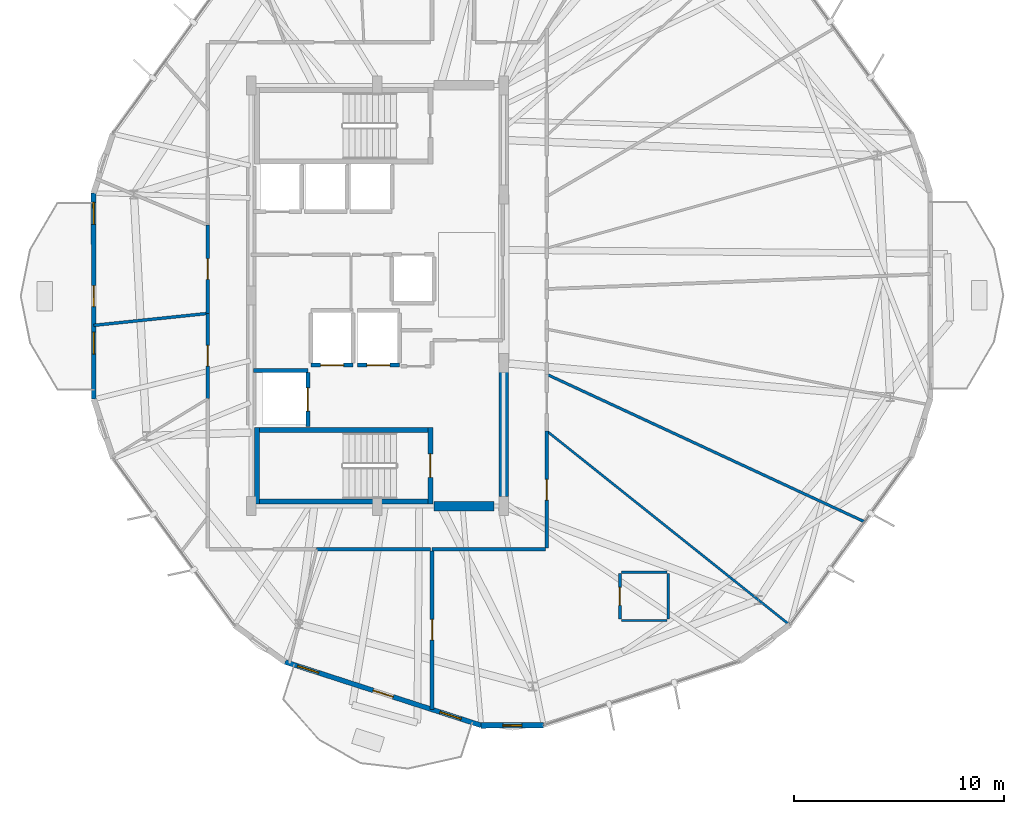
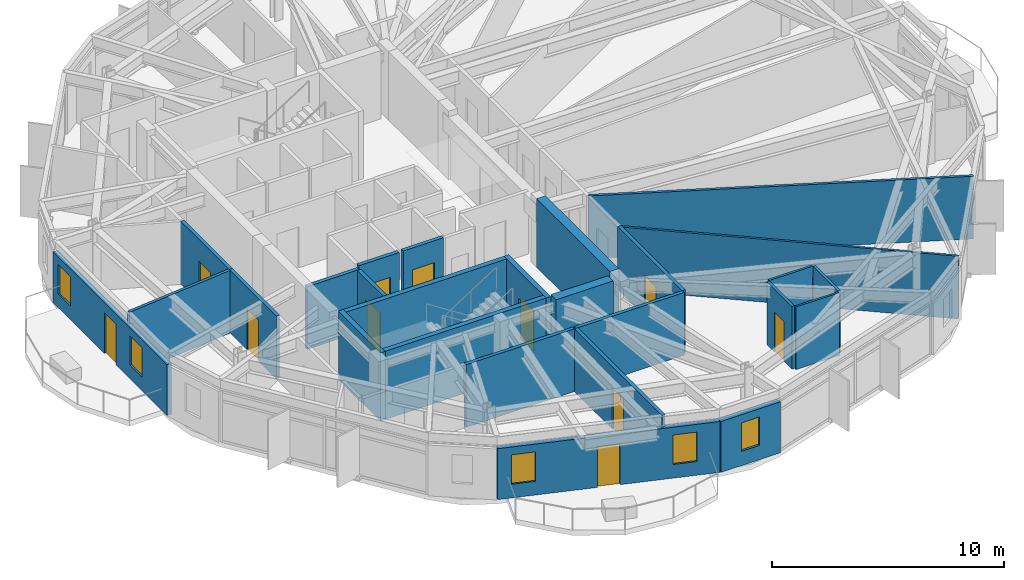
# One storey, part 25 of 31: 26 walls, 11 doors, 5 windows, 16 openings.
"""IFC4 building model written with IfcOpenShell, lengths in metres."""

from ifc_helpers import new_model, si_unit, direction, frame, frame_2d, origin, place, context, subcontext, project, spatial, rectangle, extrude, material, layer, layer_set, type_object, element, fill, save


model = new_model("IFC4")

# Units and contexts
model_context = context("Model", 3, precision=1e-05, world=origin(), true_north=direction((0.0, 1.0)))
body_context = subcontext(model_context, "Body", "Model", "MODEL_VIEW")
ifc_project = project(units=[si_unit("LENGTHUNIT", "METRE"), si_unit("AREAUNIT", "SQUARE_METRE"), si_unit("VOLUMEUNIT", "CUBIC_METRE"), si_unit("PLANEANGLEUNIT", "RADIAN"), si_unit("MASSUNIT", "GRAM", prefix="KILO")], contexts=[model_context])

# Site, building, storey
site_placement = place(None, origin())
site = spatial("IfcSite", under=ifc_project, at=site_placement, CompositionType="ELEMENT")
building_placement = place(site_placement, origin())
building = spatial("IfcBuilding", under=site, at=building_placement, Name="Soratama Intermodal Tower", CompositionType="ELEMENT")
storey_placement = place(building_placement, frame((0.0, 0.0, 230.199951171875)))
storey = spatial("IfcBuildingStorey", under=building, at=storey_placement, Name="L58", CompositionType="ELEMENT", Elevation=230.199951171875)

# Wall, openings, door, windows
ifc_material_1 = material(Name="Concrete f'c 42 MPa", Category="concrete")
ifc_layer_1 = layer(ifc_material_1, 0.22998046875)
ifc_layer_set_1 = layer_set([ifc_layer_1], Name="Concrete f'c 42 MPa")
wall_type_1 = type_object("IfcWallType", Name="EW-BAL-230", PredefinedType="SOLIDWALL", material=ifc_layer_set_1)
wall_1_placement = place(storey_placement, frame((25.117919921875, 29.8779296875, 0.0), z_axis=(0.0, 0.0, 1.0), x_axis=(0.001046571902, -0.999999452343, 0.0)))
wall_1 = element("IfcWall", 1, at=wall_1_placement, inside=storey, type_object=wall_type_1, Name="L58 Terrace Wall F04", PredefinedType="SOLIDWALL", context=body_context, shape_type="SweptSolid", body=[
    extrude(rectangle(XDim=9.797607421875, YDim=0.22998046875, at=frame_2d((4.89892578125, 0.0))), origin(), (0.0, 0.0, 1.0), 2.678955078125),
])
opening_1_placement = place(wall_1_placement, frame((4.39892578125, 0.0, 0.0)))
opening_1 = element("IfcOpeningElement", 2, at=opening_1_placement, cuts=wall_1, Name="Opening ED-2", PredefinedType="OPENING", context=body_context, shape_type="SweptSolid", body=[
    extrude(rectangle(XDim=1.0, YDim=2.14990234375, at=frame_2d((0.5, 1.074951171875))), frame((0.0, 0.125, 0.0), z_axis=(0.0, -1.0, 0.0), x_axis=(1.0, 0.0, 0.0)), (0.0, 0.0, 1.0), 0.25),
])
opening_2_placement = place(wall_1_placement, frame((0.43994140625, 0.0, 0.719970703125)))
opening_2 = element("IfcOpeningElement", 3, at=opening_2_placement, cuts=wall_1, Name="Opening WN-5", PredefinedType="OPENING", context=body_context, shape_type="SweptSolid", body=[
    extrude(rectangle(XDim=1.050048828125, YDim=1.550048828125, at=frame_2d((0.52490234375, 0.77490234375))), frame((0.0, 0.125, 0.0), z_axis=(0.0, -1.0, 0.0), x_axis=(1.0, 0.0, 0.0)), (0.0, 0.0, 1.0), 0.25),
])
opening_3_placement = place(wall_1_placement, frame((6.606201171875, 0.0, 0.719970703125)))
opening_3 = element("IfcOpeningElement", 4, at=opening_3_placement, cuts=wall_1, Name="Opening WN-5", PredefinedType="OPENING", context=body_context, shape_type="SweptSolid", body=[
    extrude(rectangle(XDim=1.050048828125, YDim=1.550048828125, at=frame_2d((0.52490234375, 0.77490234375))), frame((0.0, 0.125, 0.0), z_axis=(0.0, -1.0, 0.0), x_axis=(1.0, 0.0, 0.0)), (0.0, 0.0, 1.0), 0.25),
])
ifc_material_2 = material(Name="Double-glazed aluminium door", Category="aluminium")
door_type_1 = type_object("IfcDoorType", Name="DR-BAL-1000", OperationType="NOTDEFINED", PredefinedType="DOOR", material=ifc_material_2)
door_1_placement = place(opening_1_placement, origin())
door_1 = element("IfcDoor", 5, at=door_1_placement, inside=storey, type_object=door_type_1, Name="L58 Balcony Door F04", OperationType="SINGLE_SWING_RIGHT", OverallHeight=2.14990234375, OverallWidth=1.0, PredefinedType="DOOR", context=body_context, shape_type="SweptSolid", body=[
    extrude(rectangle(XDim=1.0, YDim=2.14990234375, at=frame_2d((0.5, 1.074951171875))), frame((0.0, 0.02490234375, 0.0), z_axis=(0.0, -1.0, 0.0), x_axis=(1.0, 0.0, 0.0)), (0.0, 0.0, 1.0), 0.050048828125),
])
fill(opening_1, door_1)
ifc_material_3 = material(Name="Double-glazed aluminium window", Category="aluminium")
window_type_1 = type_object("IfcWindowType", Name="WN-FAC-1050", PartitioningType="SINGLE_PANEL", PredefinedType="WINDOW", material=ifc_material_3)
window_1_placement = place(opening_2_placement, origin())
window_1 = element("IfcWindow", 6, at=window_1_placement, inside=storey, type_object=window_type_1, Name="L58 Window A F04", OverallHeight=1.550048828125, OverallWidth=1.050048828125, PartitioningType="SINGLE_PANEL", PredefinedType="WINDOW", context=body_context, shape_type="SweptSolid", body=[
    extrude(rectangle(XDim=1.050048828125, YDim=1.550048828125, at=frame_2d((0.52490234375, 0.77490234375))), frame((0.0, 0.030029296875, 0.0), z_axis=(0.0, -1.0, 0.0), x_axis=(1.0, 0.0, 0.0)), (0.0, 0.0, 1.0), 0.06005859375),
])
fill(opening_2, window_1)
window_2_placement = place(opening_3_placement, origin())
window_2 = element("IfcWindow", 7, at=window_2_placement, inside=storey, type_object=window_type_1, Name="L58 Window B F04", OverallHeight=1.550048828125, OverallWidth=1.050048828125, PartitioningType="SINGLE_PANEL", PredefinedType="WINDOW", context=body_context, shape_type="SweptSolid", body=[
    extrude(rectangle(XDim=1.050048828125, YDim=1.550048828125, at=frame_2d((0.52490234375, 0.77490234375))), frame((0.0, 0.030029296875, 0.0), z_axis=(0.0, -1.0, 0.0), x_axis=(1.0, 0.0, 0.0)), (0.0, 0.0, 1.0), 0.06005859375),
])
fill(opening_3, window_2)

wall_2_placement = place(storey_placement, frame((34.216796875, 7.598388671875, 0.0), z_axis=(0.0, 0.0, 1.0), x_axis=(0.951374090692, -0.308037886567, 0.0)))
wall_2 = element("IfcWall", 8, at=wall_2_placement, inside=storey, type_object=wall_type_1, Name="L58 Terrace Wall F06", PredefinedType="SOLIDWALL", context=body_context, shape_type="SweptSolid", body=[
    extrude(rectangle(XDim=9.797607421875, YDim=0.22998046875, at=frame_2d((4.89892578125, 0.0))), origin(), (0.0, 0.0, 1.0), 2.678955078125),
])
opening_4_placement = place(wall_2_placement, frame((4.398681640625, 0.0, 0.0)))
opening_4 = element("IfcOpeningElement", 9, at=opening_4_placement, cuts=wall_2, Name="Opening ED-2", PredefinedType="OPENING", context=body_context, shape_type="SweptSolid", body=[
    extrude(rectangle(XDim=1.0, YDim=2.14990234375, at=frame_2d((0.5, 1.074951171875))), frame((0.0, 0.125, 0.0), z_axis=(0.0, -1.0, 0.0), x_axis=(1.0, 0.0, 0.0)), (0.0, 0.0, 1.0), 0.25),
])
opening_5_placement = place(wall_2_placement, frame((0.629150390625, 0.0, 0.719970703125)))
opening_5 = element("IfcOpeningElement", 10, at=opening_5_placement, cuts=wall_2, Name="Opening WN-5", PredefinedType="OPENING", context=body_context, shape_type="SweptSolid", body=[
    extrude(rectangle(XDim=1.050048828125, YDim=1.550048828125, at=frame_2d((0.52490234375, 0.77490234375))), frame((0.0, 0.125, 0.0), z_axis=(0.0, -1.0, 0.0), x_axis=(1.0, 0.0, 0.0)), (0.0, 0.0, 1.0), 0.25),
])
opening_6_placement = place(wall_2_placement, frame((7.740478515625, 0.0, 0.719970703125)))
opening_6 = element("IfcOpeningElement", 11, at=opening_6_placement, cuts=wall_2, Name="Opening WN-5", PredefinedType="OPENING", context=body_context, shape_type="SweptSolid", body=[
    extrude(rectangle(XDim=1.050048828125, YDim=1.550048828125, at=frame_2d((0.52490234375, 0.77490234375))), frame((0.0, 0.125, 0.0), z_axis=(0.0, -1.0, 0.0), x_axis=(1.0, 0.0, 0.0)), (0.0, 0.0, 1.0), 0.25),
])
door_2_placement = place(opening_4_placement, origin())
door_2 = element("IfcDoor", 12, at=door_2_placement, inside=storey, type_object=door_type_1, Name="L58 Balcony Door F06", OperationType="SINGLE_SWING_RIGHT", OverallHeight=2.14990234375, OverallWidth=1.0, PredefinedType="DOOR", context=body_context, shape_type="SweptSolid", body=[
    extrude(rectangle(XDim=1.0, YDim=2.14990234375, at=frame_2d((0.5, 1.074951171875))), frame((0.0, 0.02490234375, 0.0), z_axis=(0.0, -1.0, 0.0), x_axis=(1.0, 0.0, 0.0)), (0.0, 0.0, 1.0), 0.050048828125),
])
fill(opening_4, door_2)
window_3_placement = place(opening_5_placement, origin())
window_3 = element("IfcWindow", 13, at=window_3_placement, inside=storey, type_object=window_type_1, Name="L58 Window A F06", OverallHeight=1.550048828125, OverallWidth=1.050048828125, PartitioningType="SINGLE_PANEL", PredefinedType="WINDOW", context=body_context, shape_type="SweptSolid", body=[
    extrude(rectangle(XDim=1.050048828125, YDim=1.550048828125, at=frame_2d((0.52490234375, 0.77490234375))), frame((0.0, 0.030029296875, 0.0), z_axis=(0.0, -1.0, 0.0), x_axis=(1.0, 0.0, 0.0)), (0.0, 0.0, 1.0), 0.06005859375),
])
fill(opening_5, window_3)
window_4_placement = place(opening_6_placement, origin())
window_4 = element("IfcWindow", 14, at=window_4_placement, inside=storey, type_object=window_type_1, Name="L58 Window B F06", OverallHeight=1.550048828125, OverallWidth=1.050048828125, PartitioningType="SINGLE_PANEL", PredefinedType="WINDOW", context=body_context, shape_type="SweptSolid", body=[
    extrude(rectangle(XDim=1.050048828125, YDim=1.550048828125, at=frame_2d((0.52490234375, 0.77490234375))), frame((0.0, 0.030029296875, 0.0), z_axis=(0.0, -1.0, 0.0), x_axis=(1.0, 0.0, 0.0)), (0.0, 0.0, 1.0), 0.06005859375),
])
fill(opening_6, window_4)

# Wall, opening, window
ifc_material_4 = material(Name="Concrete f'c 42 MPa", Category="concrete")
ifc_layer_2 = layer(ifc_material_4, 0.27001953125)
ifc_layer_set_2 = layer_set([ifc_layer_2], Name="Concrete f'c 42 MPa")
wall_type_2 = type_object("IfcWallType", Name="EW-CRN-270", PredefinedType="SOLIDWALL", material=ifc_layer_set_2)
wall_3_placement = place(storey_placement, frame((43.5380859375, 4.580322265625, 0.0), z_axis=(0.0, 0.0, 1.0), x_axis=(0.999999427689, 0.00106987018, 0.0)))
wall_3 = element("IfcWall", 15, at=wall_3_placement, inside=storey, type_object=wall_type_2, Name="L58 Corner Closure Wall 06", PredefinedType="SOLIDWALL", context=body_context, shape_type="SweptSolid", body=[
    extrude(rectangle(XDim=2.966552734375, YDim=0.27001953125, at=frame_2d((1.4833984375, 0.0))), origin(), (0.0, 0.0, 1.0), 2.678955078125),
])
opening_7_placement = place(wall_3_placement, frame((1.033203125, 0.0, 0.75)))
opening_7 = element("IfcOpeningElement", 16, at=opening_7_placement, cuts=wall_3, Name="Opening WN-6", PredefinedType="OPENING", context=body_context, shape_type="SweptSolid", body=[
    extrude(rectangle(XDim=0.89990234375, YDim=1.5, at=frame_2d((0.449951171875, 0.75))), frame((0.0, 0.14501953125, 0.0), z_axis=(0.0, -1.0, 0.0), x_axis=(1.0, 0.0, 0.0)), (0.0, 0.0, 1.0), 0.2900390625),
])
ifc_material_5 = material(Name="Double-glazed aluminium window", Category="aluminium")
window_type_2 = type_object("IfcWindowType", Name="WN-FAC-900", PartitioningType="SINGLE_PANEL", PredefinedType="WINDOW", material=ifc_material_5)
window_5_placement = place(opening_7_placement, origin())
window_5 = element("IfcWindow", 17, at=window_5_placement, inside=storey, type_object=window_type_2, Name="L58 Corner Window 06", OverallHeight=1.5, OverallWidth=0.89990234375, PartitioningType="SINGLE_PANEL", PredefinedType="WINDOW", context=body_context, shape_type="SweptSolid", body=[
    extrude(rectangle(XDim=0.89990234375, YDim=1.5, at=frame_2d((0.449951171875, 0.75))), frame((0.0, 0.030029296875, 0.0), z_axis=(0.0, -1.0, 0.0), x_axis=(1.0, 0.0, 0.0)), (0.0, 0.0, 1.0), 0.06005859375),
])
fill(opening_7, window_5)

# Wall, opening, door
ifc_material_6 = material(Name="Fire-rated gypsum stud partition", Category="concrete")
ifc_layer_3 = layer(ifc_material_6, 0.169921875)
ifc_layer_set_3 = layer_set([ifc_layer_3], Name="Fire-rated gypsum stud partition")
wall_type_3 = type_object("IfcWallType", Name="IW-PART-R170", PredefinedType="PARTITIONING", material=ifc_layer_set_3)
wall_4_placement = place(storey_placement, frame((41.199951171875, 5.3369140625, 0.0), z_axis=(0.0, 0.0, 1.0), x_axis=(0.0, 1.0, 0.0)))
wall_4 = element("IfcWall", 18, at=wall_4_placement, inside=storey, type_object=wall_type_3, Name="L58 Partition W-L58-TP010", PredefinedType="PARTITIONING", context=body_context, shape_type="SweptSolid", body=[
    extrude(rectangle(XDim=7.54296875, YDim=0.169921875, at=frame_2d((3.771484375, 0.0))), origin(), (0.0, 0.0, 1.0), 3.300048828125),
])
opening_8_placement = place(wall_4_placement, frame((3.297119140625, 0.0, 0.0)))
opening_8 = element("IfcOpeningElement", 19, at=opening_8_placement, cuts=wall_4, Name="Opening ID-5", PredefinedType="OPENING", context=body_context, shape_type="SweptSolid", body=[
    extrude(rectangle(XDim=0.97998046875, YDim=2.14990234375, at=frame_2d((0.489990234375, 1.074951171875))), frame((0.0, 0.094970703125, 0.0), z_axis=(0.0, -1.0, 0.0), x_axis=(1.0, 0.0, 0.0)), (0.0, 0.0, 1.0), 0.18994140625),
])
ifc_material_7 = material(Name="Solid hardwood acoustic door", Category="wood")
door_type_2 = type_object("IfcDoorType", Name="DR-OFF-980", OperationType="NOTDEFINED", PredefinedType="DOOR", material=ifc_material_7)
door_3_placement = place(opening_8_placement, origin())
door_3 = element("IfcDoor", 20, at=door_3_placement, inside=storey, type_object=door_type_2, Name="L58 Door D-L58-TP002", OperationType="SINGLE_SWING_LEFT", OverallHeight=2.14990234375, OverallWidth=0.97998046875, PredefinedType="DOOR", context=body_context, shape_type="SweptSolid", body=[
    extrude(rectangle(XDim=0.97998046875, YDim=2.14990234375, at=frame_2d((0.489990234375, 1.074951171875))), frame((0.0, 0.02490234375, 0.0), z_axis=(0.0, -1.0, 0.0), x_axis=(1.0, 0.0, 0.0)), (0.0, 0.0, 1.0), 0.050048828125),
])
fill(opening_8, door_3)

wall_5_placement = place(storey_placement, frame((46.64990234375, 18.572998046875, 0.0), z_axis=(0.0, 0.0, 1.0), x_axis=(0.0, -1.0, 0.0)))
wall_5 = element("IfcWall", 21, at=wall_5_placement, inside=storey, type_object=wall_type_3, Name="L58 Partition W-L58-TP016", PredefinedType="PARTITIONING", context=body_context, shape_type="SweptSolid", body=[
    extrude(rectangle(XDim=5.552978515625, YDim=0.169921875, at=frame_2d((2.7763671875, 0.0))), origin(), (0.0, 0.0, 1.0), 3.300048828125),
])
opening_9_placement = place(wall_5_placement, frame((2.302001953125, 0.0, 0.0)))
opening_9 = element("IfcOpeningElement", 22, at=opening_9_placement, cuts=wall_5, Name="Opening ID-5", PredefinedType="OPENING", context=body_context, shape_type="SweptSolid", body=[
    extrude(rectangle(XDim=0.97998046875, YDim=2.14990234375, at=frame_2d((0.489990234375, 1.074951171875))), frame((0.0, 0.094970703125, 0.0), z_axis=(0.0, -1.0, 0.0), x_axis=(1.0, 0.0, 0.0)), (0.0, 0.0, 1.0), 0.18994140625),
])
door_4_placement = place(opening_9_placement, origin())
door_4 = element("IfcDoor", 23, at=door_4_placement, inside=storey, type_object=door_type_2, Name="L58 Door D-L58-TP005", OperationType="SINGLE_SWING_RIGHT", OverallHeight=2.14990234375, OverallWidth=0.97998046875, PredefinedType="DOOR", context=body_context, shape_type="SweptSolid", body=[
    extrude(rectangle(XDim=0.97998046875, YDim=2.14990234375, at=frame_2d((0.489990234375, 1.074951171875))), frame((0.0, 0.02490234375, 0.0), z_axis=(0.0, -1.0, 0.0), x_axis=(1.0, 0.0, 0.0)), (0.0, 0.0, 1.0), 0.050048828125),
])
fill(opening_9, door_4)

# Walls
wall_6_placement = place(storey_placement, frame((41.1298828125, 12.949951171875, 0.0), z_axis=(0.0, 0.0, 1.0), x_axis=(-1.0, 0.0, 0.0)))
element("IfcWall", 24, at=wall_6_placement, inside=storey, type_object=wall_type_3, Name="L58 Partition W-L58-TP019", PredefinedType="PARTITIONING", context=body_context, shape_type="SweptSolid", body=[
    extrude(rectangle(XDim=5.410888671875, YDim=0.169921875, at=frame_2d((2.70556640625, 0.0))), origin(), (0.0, 0.0, 1.0), 3.300048828125),
])
wall_7_placement = place(storey_placement, frame((46.580078125, 12.949951171875, 0.0), z_axis=(0.0, 0.0, 1.0), x_axis=(-1.0, 0.0, 0.0)))
element("IfcWall", 25, at=wall_7_placement, inside=storey, type_object=wall_type_3, Name="L58 Partition W-L58-TP020", PredefinedType="PARTITIONING", context=body_context, shape_type="SweptSolid", body=[
    extrude(rectangle(XDim=5.380126953125, YDim=0.169921875, at=frame_2d((2.68994140625, 0.0))), origin(), (0.0, 0.0, 1.0), 3.300048828125),
])

# Wall, opening, door
wall_8_placement = place(storey_placement, frame((30.550048828125, 24.158935546875, 0.0), z_axis=(0.0, 0.0, 1.0), x_axis=(0.0, 1.0, 0.0)))
wall_8 = element("IfcWall", 26, at=wall_8_placement, inside=storey, type_object=wall_type_3, Name="L58 Partition W-L58-TP026", PredefinedType="PARTITIONING", context=body_context, shape_type="SweptSolid", body=[
    extrude(rectangle(XDim=4.192138671875, YDim=0.169921875, at=frame_2d((2.09619140625, 0.0))), origin(), (0.0, 0.0, 1.0), 3.300048828125),
])
opening_10_placement = place(wall_8_placement, frame((1.62109375, 0.0, 0.0)))
opening_10 = element("IfcOpeningElement", 27, at=opening_10_placement, cuts=wall_8, Name="Opening ID-5", PredefinedType="OPENING", context=body_context, shape_type="SweptSolid", body=[
    extrude(rectangle(XDim=0.97998046875, YDim=2.14990234375, at=frame_2d((0.489990234375, 1.074951171875))), frame((0.0, 0.094970703125, 0.0), z_axis=(0.0, -1.0, 0.0), x_axis=(1.0, 0.0, 0.0)), (0.0, 0.0, 1.0), 0.18994140625),
])
door_5_placement = place(opening_10_placement, origin())
door_5 = element("IfcDoor", 28, at=door_5_placement, inside=storey, type_object=door_type_2, Name="L58 Door D-L58-TP010", OperationType="SINGLE_SWING_LEFT", OverallHeight=2.14990234375, OverallWidth=0.97998046875, PredefinedType="DOOR", context=body_context, shape_type="SweptSolid", body=[
    extrude(rectangle(XDim=0.97998046875, YDim=2.14990234375, at=frame_2d((0.489990234375, 1.074951171875))), frame((0.0, 0.02490234375, 0.0), z_axis=(0.0, -1.0, 0.0), x_axis=(1.0, 0.0, 0.0)), (0.0, 0.0, 1.0), 0.050048828125),
])
fill(opening_10, door_5)

wall_9_placement = place(storey_placement, frame((30.550048828125, 20.10595703125, 0.0), z_axis=(0.0, 0.0, 1.0), x_axis=(0.0, 1.0, 0.0)))
wall_9 = element("IfcWall", 29, at=wall_9_placement, inside=storey, type_object=wall_type_3, Name="L58 Partition W-L58-TP027", PredefinedType="PARTITIONING", context=body_context, shape_type="SweptSolid", body=[
    extrude(rectangle(XDim=4.052978515625, YDim=0.169921875, at=frame_2d((2.0263671875, 0.0))), origin(), (0.0, 0.0, 1.0), 3.300048828125),
])
opening_11_placement = place(wall_9_placement, frame((1.551025390625, 0.0, 0.0)))
opening_11 = element("IfcOpeningElement", 30, at=opening_11_placement, cuts=wall_9, Name="Opening ID-5", PredefinedType="OPENING", context=body_context, shape_type="SweptSolid", body=[
    extrude(rectangle(XDim=0.97998046875, YDim=2.14990234375, at=frame_2d((0.489990234375, 1.074951171875))), frame((0.0, 0.094970703125, 0.0), z_axis=(0.0, -1.0, 0.0), x_axis=(1.0, 0.0, 0.0)), (0.0, 0.0, 1.0), 0.18994140625),
])
door_6_placement = place(opening_11_placement, origin())
door_6 = element("IfcDoor", 31, at=door_6_placement, inside=storey, type_object=door_type_2, Name="L58 Door D-L58-TP011", OperationType="SINGLE_SWING_RIGHT", OverallHeight=2.14990234375, OverallWidth=0.97998046875, PredefinedType="DOOR", context=body_context, shape_type="SweptSolid", body=[
    extrude(rectangle(XDim=0.97998046875, YDim=2.14990234375, at=frame_2d((0.489990234375, 1.074951171875))), frame((0.0, 0.02490234375, 0.0), z_axis=(0.0, -1.0, 0.0), x_axis=(1.0, 0.0, 0.0)), (0.0, 0.0, 1.0), 0.050048828125),
])
fill(opening_11, door_6)

# Walls
ifc_material_8 = material(Name="Fire-rated gypsum stud partition", Category="concrete")
ifc_layer_4 = layer(ifc_material_8, 0.10009765625)
ifc_layer_set_4 = layer_set([ifc_layer_4], Name="Fire-rated gypsum stud partition")
wall_type_4 = type_object("IfcWallType", Name="IW-PART-S100", PredefinedType="PARTITIONING", material=ifc_layer_set_4)
wall_10_placement = place(storey_placement, frame((50.199951171875, 9.56396484375, 0.0), z_axis=(0.0, 0.0, 1.0), x_axis=(1.0, 0.0, 0.0)))
element("IfcWall", 32, at=wall_10_placement, inside=storey, type_object=wall_type_4, Name="L58 Partition W-L58-TP042", PredefinedType="PARTITIONING", context=body_context, shape_type="SweptSolid", body=[
    extrude(rectangle(XDim=2.16015625, YDim=0.10009765625, at=frame_2d((1.080078125, 0.0))), origin(), (0.0, 0.0, 1.0), 3.300048828125),
])
ifc_material_9 = material(Name="Fire-rated gypsum stud partition", Category="concrete")
ifc_layer_5 = layer(ifc_material_9, 0.110107421875)
ifc_layer_set_5 = layer_set([ifc_layer_5], Name="Fire-rated gypsum stud partition")
wall_type_5 = type_object("IfcWallType", Name="IW-PART-S110", PredefinedType="PARTITIONING", material=ifc_layer_set_5)
wall_11_placement = place(storey_placement, frame((46.64990234375, 18.572998046875, 0.0), z_axis=(0.0, 0.0, 1.0), x_axis=(0.781517773411, -0.623882977683, 0.0)))
element("IfcWall", 33, at=wall_11_placement, inside=storey, type_object=wall_type_5, Name="L58 Partition W-L58-TP006", PredefinedType="PARTITIONING", context=body_context, shape_type="SweptSolid", body=[
    extrude(rectangle(XDim=14.781494140625, YDim=0.110107421875, at=frame_2d((7.390625, 0.0))), origin(), (0.0, 0.0, 1.0), 3.300048828125),
])
wall_12_placement = place(storey_placement, frame((52.360107421875, 11.864013671875, 0.0), z_axis=(0.0, 0.0, 1.0), x_axis=(-1.0, 0.0, 0.0)))
element("IfcWall", 34, at=wall_12_placement, inside=storey, type_object=wall_type_5, Name="L58 Partition W-L58-TP041", PredefinedType="PARTITIONING", context=body_context, shape_type="SweptSolid", body=[
    extrude(rectangle(XDim=2.16015625, YDim=0.110107421875, at=frame_2d((1.080078125, 0.0))), origin(), (0.0, 0.0, 1.0), 3.300048828125),
])
ifc_material_10 = material(Name="Fire-rated gypsum stud partition", Category="concrete")
ifc_layer_6 = layer(ifc_material_10, 0.1201171875)
ifc_layer_set_6 = layer_set([ifc_layer_6], Name="Fire-rated gypsum stud partition")
wall_type_6 = type_object("IfcWallType", Name="IW-PART-S120", PredefinedType="PARTITIONING", material=ifc_layer_set_6)
wall_13_placement = place(storey_placement, frame((52.429931640625, 9.634033203125, 0.0), z_axis=(0.0, 0.0, 1.0), x_axis=(0.0, 1.0, 0.0)))
element("IfcWall", 35, at=wall_13_placement, inside=storey, type_object=wall_type_6, Name="L58 Partition W-L58-TP040", PredefinedType="PARTITIONING", context=body_context, shape_type="SweptSolid", body=[
    extrude(rectangle(XDim=2.159912109375, YDim=0.1201171875, at=frame_2d((1.080078125, 0.0))), origin(), (0.0, 0.0, 1.0), 3.300048828125),
])
ifc_material_11 = material(Name="Fire-rated gypsum stud partition", Category="concrete")
ifc_layer_7 = layer(ifc_material_11, 0.1298828125)
ifc_layer_set_7 = layer_set([ifc_layer_7], Name="Fire-rated gypsum stud partition")
wall_type_7 = type_object("IfcWallType", Name="IW-PART-S130", PredefinedType="PARTITIONING", material=ifc_layer_set_7)
wall_14_placement = place(storey_placement, frame((46.64990234375, 21.264892578125, 0.0), z_axis=(0.0, 0.0, 1.0), x_axis=(0.907110307169, -0.420892968137, 0.0)))
element("IfcWall", 36, at=wall_14_placement, inside=storey, type_object=wall_type_7, Name="L58 Partition W-L58-TP004", PredefinedType="PARTITIONING", context=body_context, shape_type="SweptSolid", body=[
    extrude(rectangle(XDim=16.657470703125, YDim=0.1298828125, at=frame_2d((8.32861328125, 0.0))), origin(), (0.0, 0.0, 1.0), 3.300048828125),
])

# Wall, opening, door
wall_15_placement = place(storey_placement, frame((50.1298828125, 11.7939453125, 0.0), z_axis=(0.0, 0.0, 1.0), x_axis=(0.0, -1.0, 0.0)))
wall_15 = element("IfcWall", 37, at=wall_15_placement, inside=storey, type_object=wall_type_7, Name="L58 Partition W-L58-TP039", PredefinedType="PARTITIONING", context=body_context, shape_type="SweptSolid", body=[
    extrude(rectangle(XDim=2.159912109375, YDim=0.1298828125, at=frame_2d((1.080078125, 0.0))), origin(), (0.0, 0.0, 1.0), 3.300048828125),
])
opening_12_placement = place(wall_15_placement, frame((0.655029296875, 0.0, 0.0)))
opening_12 = element("IfcOpeningElement", 38, at=opening_12_placement, cuts=wall_15, Name="Opening ID-4", PredefinedType="OPENING", context=body_context, shape_type="SweptSolid", body=[
    extrude(rectangle(XDim=0.85009765625, YDim=2.10009765625, at=frame_2d((0.425048828125, 1.050048828125))), frame((0.0, 0.074951171875, 0.0), z_axis=(0.0, -1.0, 0.0), x_axis=(1.0, 0.0, 0.0)), (0.0, 0.0, 1.0), 0.14990234375),
])
ifc_material_12 = material(Name="Solid hardwood acoustic door", Category="wood")
door_type_3 = type_object("IfcDoorType", Name="DR-BATH-850", OperationType="NOTDEFINED", PredefinedType="DOOR", material=ifc_material_12)
door_7_placement = place(opening_12_placement, origin())
door_7 = element("IfcDoor", 39, at=door_7_placement, inside=storey, type_object=door_type_3, Name="L58 Door D-L58-TP019", OperationType="SINGLE_SWING_RIGHT", OverallHeight=2.10009765625, OverallWidth=0.85009765625, PredefinedType="DOOR", context=body_context, shape_type="SweptSolid", body=[
    extrude(rectangle(XDim=0.85009765625, YDim=2.10009765625, at=frame_2d((0.425048828125, 1.050048828125))), frame((0.0, 0.02490234375, 0.0), z_axis=(0.0, -1.0, 0.0), x_axis=(1.0, 0.0, 0.0)), (0.0, 0.0, 1.0), 0.050048828125),
])
fill(opening_12, door_7)

# Wall
ifc_material_13 = material(Name="Fire-rated gypsum stud partition", Category="concrete")
ifc_layer_8 = layer(ifc_material_13, 0.139892578125)
ifc_layer_set_8 = layer_set([ifc_layer_8], Name="Fire-rated gypsum stud partition")
wall_type_8 = type_object("IfcWallType", Name="IW-PART-S140", PredefinedType="PARTITIONING", material=ifc_layer_set_8)
wall_16_placement = place(storey_placement, frame((30.550048828125, 24.158935546875, 0.0), z_axis=(0.0, 0.0, 1.0), x_axis=(-0.994586561879, -0.103911360931, 0.0)))
element("IfcWall", 40, at=wall_16_placement, inside=storey, type_object=wall_type_8, Name="L58 Partition W-L58-TP018", PredefinedType="PARTITIONING", context=body_context, shape_type="SweptSolid", body=[
    extrude(rectangle(XDim=5.45556640625, YDim=0.139892578125, at=frame_2d((2.727783203125, 0.0))), origin(), (0.0, 0.0, 1.0), 3.300048828125),
])

# Wall, opening, door
ifc_material_14 = material(Name="Concrete f'c 42 MPa", Category="concrete")
ifc_layer_9 = layer(ifc_material_14, 0.18505859375)
ifc_layer_set_9 = layer_set([ifc_layer_9], Name="Concrete f'c 42 MPa")
wall_type_9 = type_object("IfcWallType", Name="IW-SHAFT-185", PredefinedType="SOLIDWALL", material=ifc_layer_set_9)
wall_17_placement = place(storey_placement, frame((35.449951171875, 21.699951171875, 0.0), z_axis=(0.0, 0.0, 1.0), x_axis=(1.0, 0.0, 0.0)))
wall_17 = element("IfcWall", 41, at=wall_17_placement, inside=storey, type_object=wall_type_9, Name="L58 FFL-1 Hoistway Wall S", PredefinedType="SOLIDWALL", context=body_context, shape_type="SweptSolid", body=[
    extrude(rectangle(XDim=2.0, YDim=0.18505859375, at=frame_2d((1.0, 0.0))), origin(), (0.0, 0.0, 1.0), 3.300048828125),
])
opening_13_placement = place(wall_17_placement, frame((0.449951171875, 0.0, 0.0)))
opening_13 = element("IfcOpeningElement", 42, at=opening_13_placement, cuts=wall_17, Name="Opening LD-1", PredefinedType="OPENING", context=body_context, shape_type="SweptSolid", body=[
    extrude(rectangle(XDim=1.10009765625, YDim=2.14990234375, at=frame_2d((0.550048828125, 1.074951171875))), frame((0.0, 0.1025390625, 0.0), z_axis=(0.0, -1.0, 0.0), x_axis=(1.0, 0.0, 0.0)), (0.0, 0.0, 1.0), 0.205078125),
])
ifc_material_15 = material(Name="Steel fire door", Category="steel")
door_type_4 = type_object("IfcDoorType", Name="DR-LIFT-SLIDE", OperationType="NOTDEFINED", PredefinedType="DOOR", material=ifc_material_15)
door_8_placement = place(opening_13_placement, origin())
door_8 = element("IfcDoor", 43, at=door_8_placement, inside=storey, type_object=door_type_4, Name="L58 FFL-1 Sliding Landing Door", OperationType="SLIDING_TO_LEFT", OverallHeight=2.14990234375, OverallWidth=1.10009765625, PredefinedType="DOOR", context=body_context, shape_type="SweptSolid", body=[
    extrude(rectangle(XDim=1.10009765625, YDim=2.14990234375, at=frame_2d((0.550048828125, 1.074951171875))), frame((0.0, 0.02490234375, 0.0), z_axis=(0.0, -1.0, 0.0), x_axis=(1.0, 0.0, 0.0)), (0.0, 0.0, 1.0), 0.050048828125),
])
fill(opening_13, door_8)

wall_18_placement = place(storey_placement, frame((37.64990234375, 21.699951171875, 0.0), z_axis=(0.0, 0.0, 1.0), x_axis=(1.0, 0.0, 0.0)))
wall_18 = element("IfcWall", 44, at=wall_18_placement, inside=storey, type_object=wall_type_9, Name="L58 FFL-2 Hoistway Wall S", PredefinedType="SOLIDWALL", context=body_context, shape_type="SweptSolid", body=[
    extrude(rectangle(XDim=2.0, YDim=0.18505859375, at=frame_2d((1.0, 0.0))), origin(), (0.0, 0.0, 1.0), 3.300048828125),
])
opening_14_placement = place(wall_18_placement, frame((0.449951171875, 0.0, 0.0)))
opening_14 = element("IfcOpeningElement", 45, at=opening_14_placement, cuts=wall_18, Name="Opening LD-1", PredefinedType="OPENING", context=body_context, shape_type="SweptSolid", body=[
    extrude(rectangle(XDim=1.10009765625, YDim=2.14990234375, at=frame_2d((0.550048828125, 1.074951171875))), frame((0.0, 0.1025390625, 0.0), z_axis=(0.0, -1.0, 0.0), x_axis=(1.0, 0.0, 0.0)), (0.0, 0.0, 1.0), 0.205078125),
])
door_9_placement = place(opening_14_placement, origin())
door_9 = element("IfcDoor", 46, at=door_9_placement, inside=storey, type_object=door_type_4, Name="L58 FFL-2 Sliding Landing Door", OperationType="SLIDING_TO_LEFT", OverallHeight=2.14990234375, OverallWidth=1.10009765625, PredefinedType="DOOR", context=body_context, shape_type="SweptSolid", body=[
    extrude(rectangle(XDim=1.10009765625, YDim=2.14990234375, at=frame_2d((0.550048828125, 1.074951171875))), frame((0.0, 0.02490234375, 0.0), z_axis=(0.0, -1.0, 0.0), x_axis=(1.0, 0.0, 0.0)), (0.0, 0.0, 1.0), 0.050048828125),
])
fill(opening_14, door_9)

# Wall
wall_19_placement = place(storey_placement, frame((32.719970703125, 21.449951171875, 0.0), z_axis=(0.0, 0.0, 1.0), x_axis=(1.0, 0.0, 0.0)))
element("IfcWall", 47, at=wall_19_placement, inside=storey, type_object=wall_type_9, Name="L58 SVL-1 Hoistway Wall N", PredefinedType="SOLIDWALL", context=body_context, shape_type="SweptSolid", body=[
    extrude(rectangle(XDim=2.580078125, YDim=0.18505859375, at=frame_2d((1.2900390625, 0.0))), origin(), (0.0, 0.0, 1.0), 3.300048828125),
])

# Wall, opening, door
wall_20_placement = place(storey_placement, frame((35.300048828125, 18.7900390625, 0.0), z_axis=(0.0, 0.0, 1.0), x_axis=(0.0, 1.0, 0.0)))
wall_20 = element("IfcWall", 48, at=wall_20_placement, inside=storey, type_object=wall_type_9, Name="L58 SVL-1 Hoistway Wall E", PredefinedType="SOLIDWALL", context=body_context, shape_type="SweptSolid", body=[
    extrude(rectangle(XDim=2.550048828125, YDim=0.18505859375, at=frame_2d((1.27490234375, 0.0))), origin(), (0.0, 0.0, 1.0), 3.300048828125),
])
opening_15_placement = place(wall_20_placement, frame((0.72509765625, 0.0, 0.0)))
opening_15 = element("IfcOpeningElement", 49, at=opening_15_placement, cuts=wall_20, Name="Opening LD-1", PredefinedType="OPENING", context=body_context, shape_type="SweptSolid", body=[
    extrude(rectangle(XDim=1.10009765625, YDim=2.14990234375, at=frame_2d((0.550048828125, 1.074951171875))), frame((0.0, 0.1025390625, 0.0), z_axis=(0.0, -1.0, 0.0), x_axis=(1.0, 0.0, 0.0)), (0.0, 0.0, 1.0), 0.205078125),
])
door_10_placement = place(opening_15_placement, origin())
door_10 = element("IfcDoor", 50, at=door_10_placement, inside=storey, type_object=door_type_4, Name="L58 SVL-1 Sliding Landing Door", OperationType="SLIDING_TO_LEFT", OverallHeight=2.14990234375, OverallWidth=1.10009765625, PredefinedType="DOOR", context=body_context, shape_type="SweptSolid", body=[
    extrude(rectangle(XDim=1.10009765625, YDim=2.14990234375, at=frame_2d((0.550048828125, 1.074951171875))), frame((0.0, 0.02490234375, 0.0), z_axis=(0.0, -1.0, 0.0), x_axis=(1.0, 0.0, 0.0)), (0.0, 0.0, 1.0), 0.050048828125),
])
fill(opening_15, door_10)

# Walls
ifc_material_16 = material(Name="Concrete f'c 56 MPa", Category="concrete")
ifc_layer_10 = layer(ifc_material_16, 0.449951171875)
ifc_layer_set_10 = layer_set([ifc_layer_10], Name="Concrete f'c 56 MPa")
wall_type_10 = type_object("IfcWallType", Name="SW-CORE-450", PredefinedType="SHEAR", material=ifc_layer_set_10)
wall_21_placement = place(storey_placement, frame((41.300048828125, 15.0, 0.0), z_axis=(0.0, 0.0, 1.0), x_axis=(1.0, 0.0, 0.0)))
element("IfcWall", 51, at=wall_21_placement, inside=storey, type_object=wall_type_10, Name="L58 Core Shear Wall CW-SE", PredefinedType="SHEAR", context=body_context, shape_type="SweptSolid", body=[
    extrude(rectangle(XDim=2.849853515625, YDim=0.449951171875, at=frame_2d((1.4248046875, 0.0))), origin(), (0.0, 0.0, 1.0), 3.60009765625),
])
wall_22_placement = place(storey_placement, frame((44.60009765625, 15.449951171875, 0.0), z_axis=(0.0, 0.0, 1.0), x_axis=(0.0, 1.0, 0.0)))
element("IfcWall", 52, at=wall_22_placement, inside=storey, type_object=wall_type_10, Name="L58 Core Shear Wall CW-ES", PredefinedType="SHEAR", context=body_context, shape_type="SweptSolid", body=[
    extrude(rectangle(XDim=6.35009765625, YDim=0.449951171875, at=frame_2d((3.175048828125, 0.0))), origin(), (0.0, 0.0, 1.0), 3.60009765625),
])
ifc_material_17 = material(Name="Concrete f'c 56 MPa", Category="concrete")
ifc_layer_11 = layer(ifc_material_17, 0.239990234375)
ifc_layer_set_11 = layer_set([ifc_layer_11], Name="Concrete f'c 56 MPa")
wall_type_11 = type_object("IfcWallType", Name="SW-STAIR-240", PredefinedType="SHEAR", material=ifc_layer_set_11)
wall_23_placement = place(storey_placement, frame((32.8798828125, 15.110107421875, 0.0), z_axis=(0.0, 0.0, 1.0), x_axis=(0.0, 1.0, 0.0)))
element("IfcWall", 53, at=wall_23_placement, inside=storey, type_object=wall_type_11, Name="L58 ST-1 Shaft Shear Wall W", PredefinedType="SHEAR", context=body_context, shape_type="SweptSolid", body=[
    extrude(rectangle(XDim=3.6298828125, YDim=0.239990234375, at=frame_2d((1.81494140625, 0.0))), origin(), (0.0, 0.0, 1.0), 3.60009765625),
])

# Wall, opening, door
wall_24_placement = place(storey_placement, frame((41.1201171875, 15.110107421875, 0.0), z_axis=(0.0, 0.0, 1.0), x_axis=(0.0, 1.0, 0.0)))
wall_24 = element("IfcWall", 54, at=wall_24_placement, inside=storey, type_object=wall_type_11, Name="L58 ST-1 Shaft Shear Wall E", PredefinedType="SHEAR", context=body_context, shape_type="SweptSolid", body=[
    extrude(rectangle(XDim=3.6298828125, YDim=0.239990234375, at=frame_2d((1.81494140625, 0.0))), origin(), (0.0, 0.0, 1.0), 3.60009765625),
])
opening_16_placement = place(wall_24_placement, frame((1.2548828125, 0.0, 0.0)))
opening_16 = element("IfcOpeningElement", 55, at=opening_16_placement, cuts=wall_24, Name="Opening SD-1", PredefinedType="OPENING", context=body_context, shape_type="SweptSolid", body=[
    extrude(rectangle(XDim=1.1201171875, YDim=2.14990234375, at=frame_2d((0.56005859375, 1.074951171875))), frame((0.0, 0.1298828125, 0.0), z_axis=(0.0, -1.0, 0.0), x_axis=(1.0, 0.0, 0.0)), (0.0, 0.0, 1.0), 0.260009765625),
])
ifc_material_18 = material(Name="Steel fire door", Category="steel")
door_type_5 = type_object("IfcDoorType", Name="DR-STAIR-FD90", OperationType="NOTDEFINED", PredefinedType="DOOR", material=ifc_material_18)
door_11_placement = place(opening_16_placement, origin())
door_11 = element("IfcDoor", 56, at=door_11_placement, inside=storey, type_object=door_type_5, Name="L58 ST-1 Exit Stair Door", OperationType="SINGLE_SWING_LEFT", OverallHeight=2.14990234375, OverallWidth=1.1201171875, PredefinedType="DOOR", context=body_context, shape_type="SweptSolid", body=[
    extrude(rectangle(XDim=1.1201171875, YDim=2.14990234375, at=frame_2d((0.56005859375, 1.074951171875))), frame((0.0, 0.02490234375, 0.0), z_axis=(0.0, -1.0, 0.0), x_axis=(1.0, 0.0, 0.0)), (0.0, 0.0, 1.0), 0.050048828125),
])
fill(opening_16, door_11)

# Walls
for number, where, z_axis, x_axis, name in (
    (57, (33.0, 15.22998046875, 0.0), (0.0, 0.0, 1.0), (1.0, 0.0, 0.0), "L58 ST-1 Shaft Shear Wall S"),
    (58, (33.0, 18.6201171875, 0.0), (0.0, 0.0, 1.0), (1.0, 0.0, 0.0), "L58 ST-1 Shaft Shear Wall N"),
):
    element("IfcWall", number, at=place(storey_placement, frame(where, z_axis=z_axis, x_axis=x_axis)), inside=storey, type_object=wall_type_11, Name=name, PredefinedType="SHEAR", context=body_context, shape_type="SweptSolid", body=[
        extrude(rectangle(XDim=8.0, YDim=0.239990234375, at=frame_2d((4.0, 0.0))), origin(), (0.0, 0.0, 1.0), 3.60009765625),
    ])

save(model, "model.ifc")
